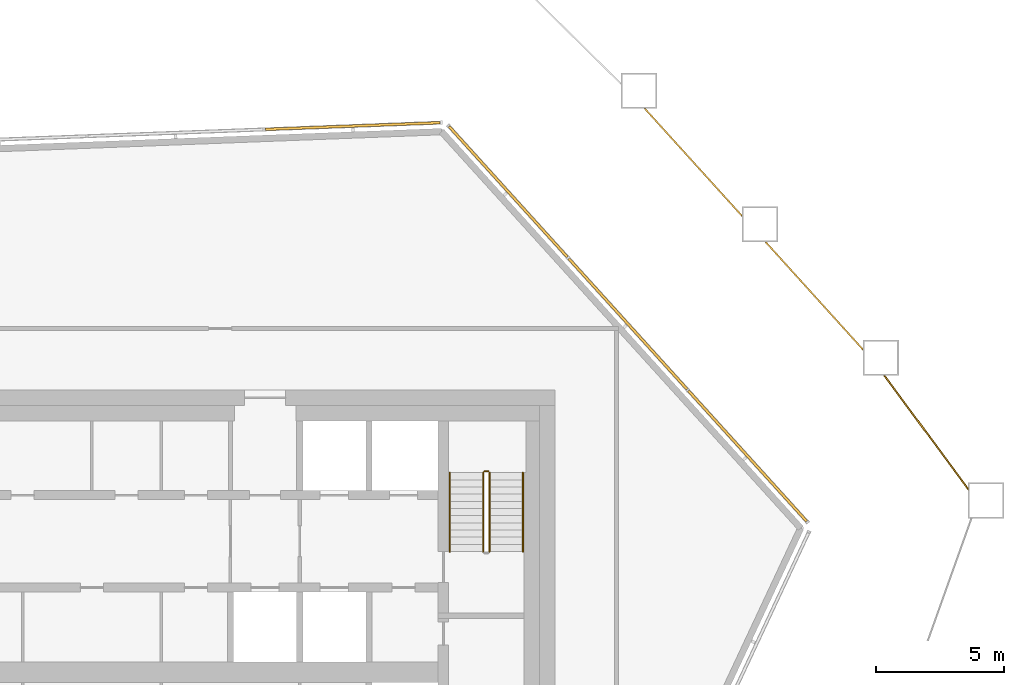
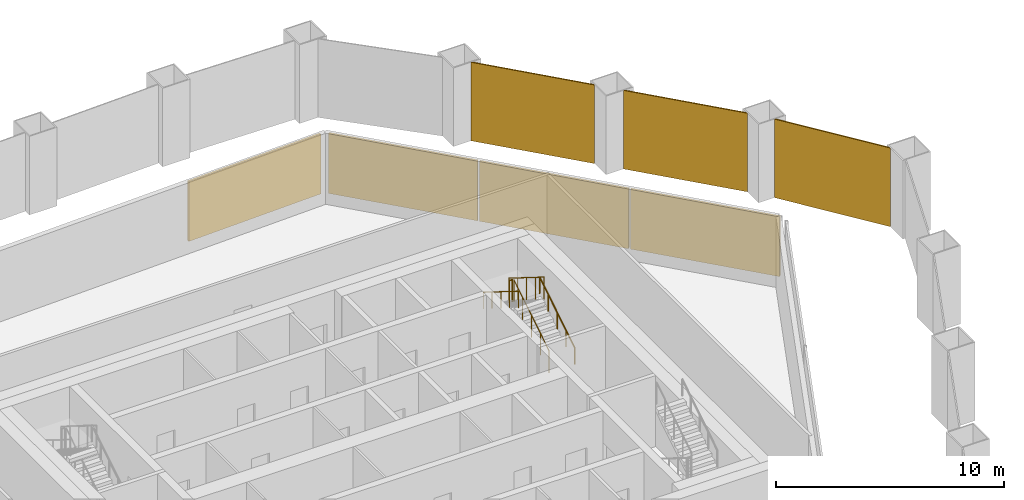
# One storey, part 17 of 18: 7 coverings, 5 railings, 2 elements without a shape of their own.
"""IFC4 building model written with IfcOpenShell, lengths in metres."""

from ifc_helpers import new_model, si_unit, direction, frame, origin, origin_2d, place, context, subcontext, project, spatial, polyline, rectangle, circle, outline, extrude, material, layer, layer_set, type_object, element, aggregate, save


model = new_model("IFC4")

# Units and contexts
model_context = context("Model", 3, precision=1e-05, world=origin(), true_north=direction((0.0, 1.0)))
body_context = subcontext(model_context, "Body", "Model", "MODEL_VIEW")
ifc_project = project(units=[si_unit("LENGTHUNIT", "METRE"), si_unit("AREAUNIT", "SQUARE_METRE"), si_unit("VOLUMEUNIT", "CUBIC_METRE"), si_unit("PLANEANGLEUNIT", "RADIAN"), si_unit("MASSUNIT", "GRAM", prefix="KILO")], contexts=[model_context])

# Site, building, storey
site_placement = place(None, origin())
site = spatial("IfcSite", under=ifc_project, at=site_placement, CompositionType="ELEMENT")
building_placement = place(site_placement, origin())
building = spatial("IfcBuilding", under=site, at=building_placement, Name="Dongbaek Canopy Tower", CompositionType="ELEMENT")
storey_placement = place(building_placement, frame((0.0, 0.0, 367.39990234375)))
storey = spatial("IfcBuildingStorey", under=building, at=storey_placement, Name="L79", CompositionType="ELEMENT", Elevation=367.39990234375)

# Coverings
ifc_material_1 = material(Name="Perforated pale metal")
ifc_layer_1 = layer(ifc_material_1, 0.06005859375)
ifc_layer_set_1 = layer_set([ifc_layer_1], Name="Crown plant screen")
covering_type_1 = type_object("IfcCoveringType", Name="Crown plant screen", PredefinedType="CLADDING", material=ifc_layer_set_1)
covering_1_placement = place(storey_placement, origin())
element("IfcCovering", 1, at=covering_1_placement, inside=storey, type_object=covering_type_1, Name="Crown plant screen 14 L79", PredefinedType="CLADDING", context=body_context, shape_type="SweptSolid", body=[
    extrude(outline(polyline([(30.10498046875, 7.19189453125), (30.10498046875, 7.0908203125), (26.809326171875, 11.556884765625), (26.884033203125, 11.556884765625), (30.10498046875, 7.19189453125)])), origin(), (0.0, 0.0, 1.0), 4.2001953125),
])
covering_2_placement = place(storey_placement, origin())
element("IfcCovering", 2, at=covering_2_placement, inside=storey, type_object=covering_type_1, Name="Crown plant screen 15 L79", PredefinedType="CLADDING", context=body_context, shape_type="SweptSolid", body=[
    extrude(outline(polyline([(26.0029296875, 12.627685546875), (26.0029296875, 12.538330078125), (22.1787109375, 16.761962890625), (22.259521484375, 16.761962890625), (26.0029296875, 12.627685546875)])), origin(), (0.0, 0.0, 1.0), 4.2001953125),
])
covering_3_placement = place(storey_placement, origin())
element("IfcCovering", 3, at=covering_3_placement, inside=storey, type_object=covering_type_1, Name="Crown plant screen 16 L79", PredefinedType="CLADDING", context=body_context, shape_type="SweptSolid", body=[
    extrude(outline(polyline([(21.2900390625, 17.83251953125), (21.2900390625, 17.7431640625), (17.46484375, 21.966064453125), (17.5458984375, 21.966064453125), (21.2900390625, 17.83251953125)])), origin(), (0.0, 0.0, 1.0), 4.2001953125),
])

# Curtain wall, coverings
ifc_material_2 = material(Name="Aluminium 6063-T6 pale anodised", Category="aluminium")
ifc_layer_2 = layer(ifc_material_2, 0.14990234375)
ifc_layer_set_2 = layer_set([ifc_layer_2], Name="CW-7 louvre curtain wall")
curtain_wall_type = type_object("IfcCurtainWallType", Name="CW-7 louvre curtain wall", PredefinedType="NOTDEFINED", material=ifc_layer_set_2)
curtain_wall_1_placement = place(storey_placement, origin())
curtain_wall_1 = element("IfcCurtainWall", 4, at=curtain_wall_1_placement, inside=storey, type_object=curtain_wall_type, Name="CW-7 louvre wall L79 F2", PredefinedType="NOTDEFINED")
ifc_material_3 = material(Name="Aluminium 6063-T6 pale metal louvre blades", Category="aluminium")
ifc_layer_3 = layer(ifc_material_3, 0.10009765625)
ifc_layer_set_3 = layer_set([ifc_layer_3], Name="Louvre LV bank 100 x 3200")
covering_type_2 = type_object("IfcCoveringType", Name="Louvre LV bank 100 x 3200", PredefinedType="CLADDING", material=ifc_layer_set_3)
covering_4_placement = place(storey_placement, frame((21.509033203125, 8.42529296875, 0.30029296875), z_axis=(0.0, 0.0, 1.0), x_axis=(-0.671259717142, 0.741222228581, 0.0)))
covering_4 = element("IfcCovering", 5, at=covering_4_placement, type_object=covering_type_2, Name="Louvre L79 F2.1.1", PredefinedType="CLADDING", context=body_context, shape_type="SweptSolid", body=[
    extrude(rectangle(XDim=6.86181640625, YDim=0.10009765625, at=origin_2d()), origin(), (0.0, 0.0, 1.0), 3.199951171875),
])
covering_5_placement = place(storey_placement, frame((16.842529296875, 13.578125, 0.30029296875), z_axis=(0.0, 0.0, 1.0), x_axis=(-0.671259717142, 0.741222228581, 0.0)))
covering_5 = element("IfcCovering", 6, at=covering_5_placement, type_object=covering_type_2, Name="Louvre L79 F2.1.2", PredefinedType="CLADDING", context=body_context, shape_type="SweptSolid", body=[
    extrude(rectangle(XDim=6.86181640625, YDim=0.10009765625, at=origin_2d()), origin(), (0.0, 0.0, 1.0), 3.199951171875),
])
covering_6_placement = place(storey_placement, frame((12.17578125, 18.73095703125, 0.30029296875), z_axis=(0.0, 0.0, 1.0), x_axis=(-0.671259717142, 0.741222228581, 0.0)))
covering_6 = element("IfcCovering", 7, at=covering_6_placement, type_object=covering_type_2, Name="Louvre L79 F2.1.3", PredefinedType="CLADDING", context=body_context, shape_type="SweptSolid", body=[
    extrude(rectangle(XDim=6.86181640625, YDim=0.10009765625, at=origin_2d()), origin(), (0.0, 0.0, 1.0), 3.199951171875),
])
aggregate(curtain_wall_1, [covering_4, covering_5, covering_6])

# Curtain wall, covering
curtain_wall_2_placement = place(storey_placement, origin())
curtain_wall_2 = element("IfcCurtainWall", 8, at=curtain_wall_2_placement, inside=storey, type_object=curtain_wall_type, Name="CW-7 louvre wall L79 F3", PredefinedType="NOTDEFINED")
covering_7_placement = place(storey_placement, frame((6.1162109375, 21.2900390625, 0.30029296875), z_axis=(0.0, 0.0, 1.0), x_axis=(-0.999268890611, -0.038231979514, 0.0)))
covering_7 = element("IfcCovering", 9, at=covering_7_placement, type_object=covering_type_2, Name="Louvre L79 F3.1.1", PredefinedType="CLADDING", context=body_context, shape_type="SweptSolid", body=[
    extrude(rectangle(XDim=6.822265625, YDim=0.10009765625, at=origin_2d()), origin(), (0.0, 0.0, 1.0), 3.199951171875),
])
aggregate(curtain_wall_2, [covering_7])

# Railings
ifc_material_4 = material(Name="Stainless steel tube and balusters", Category="steel")
railing_type_1 = type_object("IfcRailingType", Name="Stair guard 1200", PredefinedType="GUARDRAIL", material=ifc_material_4)
railing_1_placement = place(storey_placement, frame((11.449951171875, 4.699951171875, 0.175048828125)))
element("IfcRailing", 10, at=railing_1_placement, inside=storey, type_object=railing_type_1, Name="L79 ST-A stair guard 1", PredefinedType="GUARDRAIL", context=body_context, shape_type="SweptSolid", body=[
    extrude(circle(Radius=0.02392578125, at=origin_2d()), frame((0.0, 0.0, 1.17578125), z_axis=(0.0, 0.847998304005, 0.529998940003), x_axis=(-1.0, 0.0, 0.0)), (0.0, 0.0, 1.0), 3.632080078125),
    extrude(circle(Radius=0.02099609375, at=origin_2d()), origin(), (0.0, 0.0, 1.0), 1.15185546875),
    extrude(circle(Radius=0.02099609375, at=origin_2d()), frame((0.0, 0.77001953125, 0.481201171875)), (0.0, 0.0, 1.0), 1.15185546875),
    extrude(circle(Radius=0.02099609375, at=origin_2d()), frame((0.0, 1.5400390625, 0.96240234375)), (0.0, 0.0, 1.0), 1.15185546875),
    extrude(circle(Radius=0.02099609375, at=origin_2d()), frame((0.0, 2.31005859375, 1.44384765625)), (0.0, 0.0, 1.0), 1.15185546875),
    extrude(circle(Radius=0.02099609375, at=origin_2d()), frame((0.0, 3.080078125, 1.925048828125)), (0.0, 0.0, 1.0), 1.15185546875),
])
railing_2_placement = place(storey_placement, frame((11.39990234375, 7.830078125, 2.10009765625)))
element("IfcRailing", 11, at=railing_2_placement, inside=storey, type_object=railing_type_1, Name="L79 ST-A stair guard 2", PredefinedType="GUARDRAIL", context=body_context, shape_type="SweptSolid", body=[
    extrude(circle(Radius=0.02392578125, at=origin_2d()), frame((0.0, 0.0, 1.17578125), z_axis=(-1.0, 0.0, 0.0), x_axis=(0.0, -1.0, 0.0)), (0.0, 0.0, 1.0), 0.14990234375),
    extrude(circle(Radius=0.02099609375, at=origin_2d()), origin(), (0.0, 0.0, 1.0), 1.15185546875),
    extrude(circle(Radius=0.02099609375, at=origin_2d()), frame((-0.14990234375, 0.0, 0.0)), (0.0, 0.0, 1.0), 1.15185546875),
])
railing_3_placement = place(storey_placement, frame((11.199951171875, 7.780029296875, 2.275146484375)))
element("IfcRailing", 12, at=railing_3_placement, inside=storey, type_object=railing_type_1, Name="L79 ST-A stair guard 3", PredefinedType="GUARDRAIL", context=body_context, shape_type="SweptSolid", body=[
    extrude(circle(Radius=0.02392578125, at=origin_2d()), frame((0.0, 0.0, 1.17578125), z_axis=(0.0, -0.847998304005, 0.529998940003), x_axis=(1.0, 0.0, 0.0)), (0.0, 0.0, 1.0), 3.632080078125),
    extrude(circle(Radius=0.02099609375, at=origin_2d()), origin(), (0.0, 0.0, 1.0), 1.15185546875),
    extrude(circle(Radius=0.02099609375, at=origin_2d()), frame((0.0, -0.77001953125, 0.481201171875)), (0.0, 0.0, 1.0), 1.15185546875),
    extrude(circle(Radius=0.02099609375, at=origin_2d()), frame((0.0, -1.5400390625, 0.96240234375)), (0.0, 0.0, 1.0), 1.15185546875),
    extrude(circle(Radius=0.02099609375, at=origin_2d()), frame((0.0, -2.31005859375, 1.44384765625)), (0.0, 0.0, 1.0), 1.15185546875),
    extrude(circle(Radius=0.02099609375, at=origin_2d()), frame((0.0, -3.080078125, 1.925048828125)), (0.0, 0.0, 1.0), 1.15185546875),
])
ifc_material_5 = material(Name="Stainless steel tube", Category="steel")
railing_type_2 = type_object("IfcRailingType", Name="Stair handrail 900", PredefinedType="HANDRAIL", material=ifc_material_5)
railing_4_placement = place(storey_placement, frame((12.75, 4.699951171875, 0.175048828125)))
element("IfcRailing", 13, at=railing_4_placement, inside=storey, type_object=railing_type_2, Name="L79 ST-A stair handrail 1", PredefinedType="HANDRAIL", context=body_context, shape_type="SweptSolid", body=[
    extrude(circle(Radius=0.02392578125, at=origin_2d()), frame((0.0, 0.0, 0.8759765625), z_axis=(0.0, 0.847998304005, 0.529998940003), x_axis=(-1.0, 0.0, 0.0)), (0.0, 0.0, 1.0), 3.632080078125),
    extrude(circle(Radius=0.02099609375, at=origin_2d()), origin(), (0.0, 0.0, 1.0), 0.851806640625),
    extrude(circle(Radius=0.02099609375, at=origin_2d()), frame((0.0, 0.77001953125, 0.481201171875)), (0.0, 0.0, 1.0), 0.851806640625),
    extrude(circle(Radius=0.02099609375, at=origin_2d()), frame((0.0, 1.5400390625, 0.96240234375)), (0.0, 0.0, 1.0), 0.851806640625),
    extrude(circle(Radius=0.02099609375, at=origin_2d()), frame((0.0, 2.31005859375, 1.44384765625)), (0.0, 0.0, 1.0), 0.851806640625),
    extrude(circle(Radius=0.02099609375, at=origin_2d()), frame((0.0, 3.080078125, 1.925048828125)), (0.0, 0.0, 1.0), 0.851806640625),
])
railing_5_placement = place(storey_placement, frame((9.89990234375, 7.780029296875, 2.275146484375)))
element("IfcRailing", 14, at=railing_5_placement, inside=storey, type_object=railing_type_2, Name="L79 ST-A stair handrail 2", PredefinedType="HANDRAIL", context=body_context, shape_type="SweptSolid", body=[
    extrude(circle(Radius=0.02392578125, at=origin_2d()), frame((0.0, 0.0, 0.8759765625), z_axis=(0.0, -0.847998304005, 0.529998940003), x_axis=(1.0, 0.0, 0.0)), (0.0, 0.0, 1.0), 3.632080078125),
    extrude(circle(Radius=0.02099609375, at=origin_2d()), origin(), (0.0, 0.0, 1.0), 0.851806640625),
    extrude(circle(Radius=0.02099609375, at=origin_2d()), frame((0.0, -0.77001953125, 0.481201171875)), (0.0, 0.0, 1.0), 0.851806640625),
    extrude(circle(Radius=0.02099609375, at=origin_2d()), frame((0.0, -1.5400390625, 0.96240234375)), (0.0, 0.0, 1.0), 0.851806640625),
    extrude(circle(Radius=0.02099609375, at=origin_2d()), frame((0.0, -2.31005859375, 1.44384765625)), (0.0, 0.0, 1.0), 0.851806640625),
    extrude(circle(Radius=0.02099609375, at=origin_2d()), frame((0.0, -3.080078125, 1.925048828125)), (0.0, 0.0, 1.0), 0.851806640625),
])

save(model, "model.ifc")
